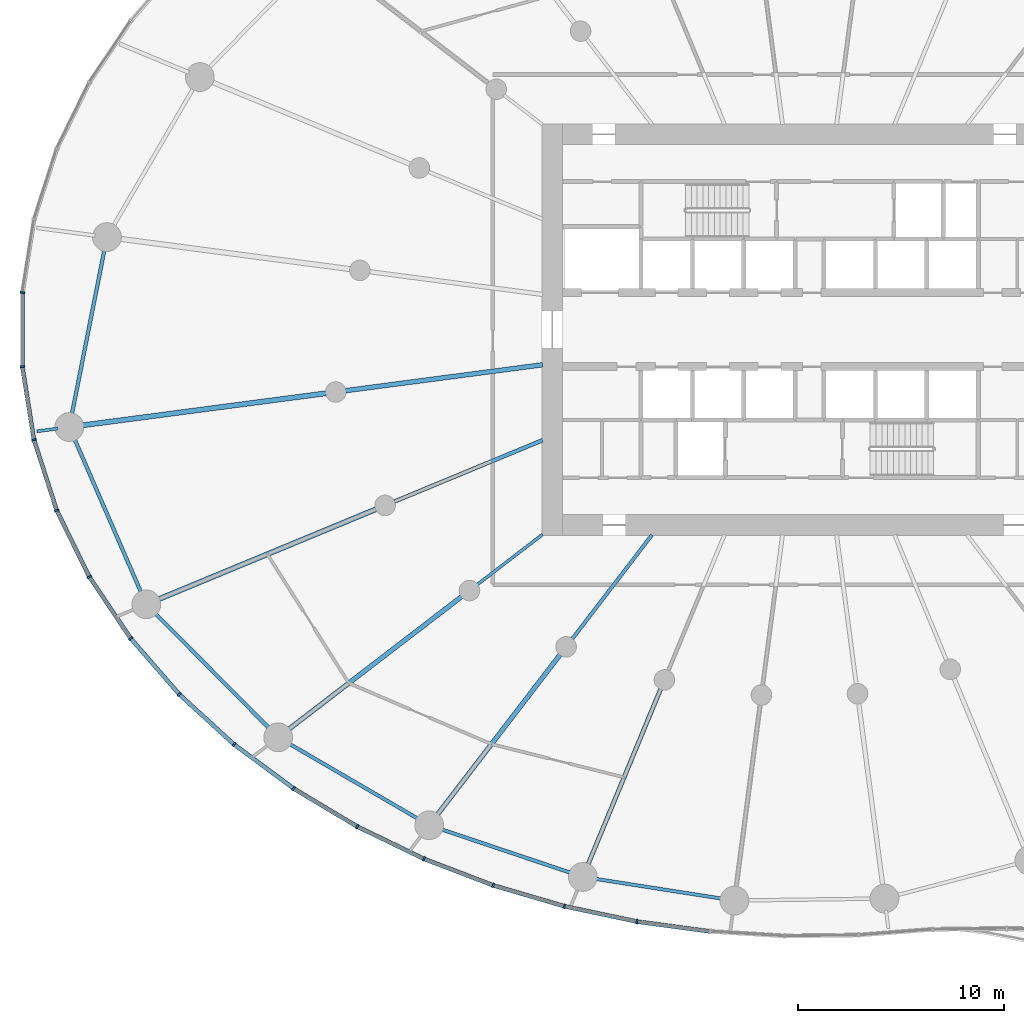
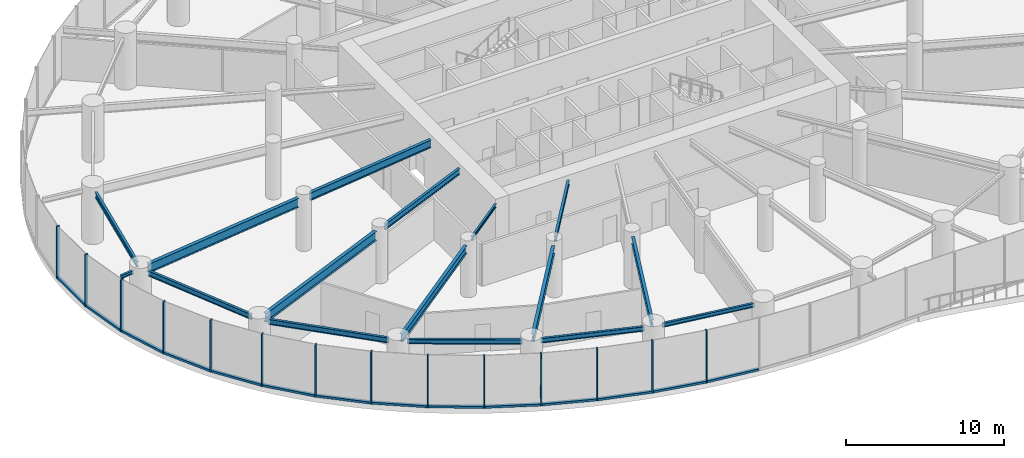
# One storey, part 2 of 19: 28 members, 16 beams, 3 elements without a shape of their own.
"""IFC4 building model written with IfcOpenShell, lengths in metres."""

from ifc_helpers import new_model, si_unit, direction, frame, origin, origin_2d, place, context, subcontext, project, spatial, rectangle, i_section, extrude, source, transform, mapped, material, layer, layer_set, material_profile, profile_set, type_object, element, aggregate, save


model = new_model("IFC4")

# Units and contexts
model_context = context("Model", 3, precision=1e-05, world=origin(), true_north=direction((0.0, 1.0)))
body_context = subcontext(model_context, "Body", "Model", "MODEL_VIEW")
ifc_project = project(units=[si_unit("LENGTHUNIT", "METRE"), si_unit("AREAUNIT", "SQUARE_METRE"), si_unit("VOLUMEUNIT", "CUBIC_METRE"), si_unit("PLANEANGLEUNIT", "RADIAN"), si_unit("MASSUNIT", "GRAM", prefix="KILO")], contexts=[model_context])

# Site, building, storey
site_placement = place(None, origin())
site = spatial("IfcSite", under=ifc_project, at=site_placement, CompositionType="ELEMENT")
building_placement = place(site_placement, origin())
building = spatial("IfcBuilding", under=site, at=building_placement, Name="Spindrift Exchange Tower", CompositionType="ELEMENT")
storey_placement = place(building_placement, frame((0.0, 0.0, 13.800048828125)))
storey = spatial("IfcBuildingStorey", under=building, at=storey_placement, Name="L03", CompositionType="ELEMENT", Elevation=13.800048828125)

# Beams
ifc_material_1 = material(Name="Steel Grade 300", Category="steel")
ifc_material_profile_1 = material_profile(ifc_material_1, i_section(OverallWidth=0.22802734375, OverallDepth=0.60693359375, WebThickness=0.01123046875, FlangeThickness=0.017333984375, FilletRadius=0.013916015625, at=origin_2d()), Name="610UB113")
ifc_profile_set_1 = profile_set([ifc_material_profile_1], Name="Steel Grade 300")
beam_type_1 = type_object("IfcBeamType", Name="Floor Beam 610UB113 Steel Grade 300", PredefinedType="BEAM", material=ifc_profile_set_1)
shared_shape_1 = source(origin(), body_context, "Body", "SweptSolid", [
    extrude(i_section(OverallWidth=0.22802734375, OverallDepth=0.60693359375, WebThickness=0.01123046875, FlangeThickness=0.017333984375, FilletRadius=0.013916015625, at=origin_2d()), origin(), (0.0, 0.0, 1.0), 9.660400390625),
])
beam_1_placement = place(storey_placement, frame((39.019775390625, 46.291015625, 3.746337890625), z_axis=(-0.99144767089, -0.130504850054, 0.0), x_axis=(0.130504850054, -0.99144767089, 0.0)))
element("IfcBeam", 1, at=beam_1_placement, inside=storey, type_object=beam_type_1, Name="L03 radial beam R13A", PredefinedType="BEAM", context=body_context, shape_type="MappedRepresentation", body=[
    mapped(shared_shape_1, transform((0.0, 0.0, 0.0), scale=1.0)),
])
ifc_material_profile_2 = material_profile(ifc_material_1, i_section(OverallWidth=0.25, OverallDepth=0.699951171875, WebThickness=0.008056640625, FlangeThickness=0.011962890625, at=origin_2d()), Name="700WB115")
ifc_profile_set_2 = profile_set([ifc_material_profile_2], Name="Steel Grade 300")
beam_type_2 = type_object("IfcBeamType", Name="Floor Beam 700WB115 Steel Grade 300", PredefinedType="BEAM", material=ifc_profile_set_2)
shared_shape_2 = source(origin(), body_context, "Body", "SweptSolid", [
    extrude(i_section(OverallWidth=0.25, OverallDepth=0.699951171875, WebThickness=0.008056640625, FlangeThickness=0.011962890625, at=origin_2d()), origin(), (0.0, 0.0, 1.0), 12.00830078125),
])
beam_2_placement = place(storey_placement, frame((28.490234375, 44.90478515625, 3.699951171875), z_axis=(-0.991444950947, -0.130525511844, 0.0), x_axis=(0.130525511844, -0.991444950947, 0.0)))
element("IfcBeam", 2, at=beam_2_placement, inside=storey, type_object=beam_type_2, Name="L03 radial beam R13B", PredefinedType="BEAM", context=body_context, shape_type="MappedRepresentation", body=[
    mapped(shared_shape_2, transform((0.0, 0.0, 0.0), scale=1.0)),
])
ifc_material_profile_3 = material_profile(ifc_material_1, i_section(OverallWidth=0.18994140625, OverallDepth=0.45703125, WebThickness=0.009033203125, FlangeThickness=0.014404296875, FilletRadius=0.013916015625, at=origin_2d()), Name="460UB74.6")
ifc_profile_set_3 = profile_set([ifc_material_profile_3], Name="Steel Grade 300")
beam_type_3 = type_object("IfcBeamType", Name="Floor Beam 460UB74.6 Steel Grade 300", PredefinedType="BEAM", material=ifc_profile_set_3)
shared_shape_3 = source(origin(), body_context, "Body", "SweptSolid", [
    extrude(i_section(OverallWidth=0.18994140625, OverallDepth=0.45703125, WebThickness=0.009033203125, FlangeThickness=0.014404296875, FilletRadius=0.013916015625, at=origin_2d()), origin(), (0.0, 0.0, 1.0), 7.808837890625),
])
beam_3_placement = place(storey_placement, frame((39.0185546875, 42.622802734375, 3.821533203125), z_axis=(-0.92387965154, -0.382683145003, 0.0), x_axis=(0.382683145003, -0.92387965154, 0.0)))
element("IfcBeam", 3, at=beam_3_placement, inside=storey, type_object=beam_type_3, Name="L03 radial beam R14A", PredefinedType="BEAM", context=body_context, shape_type="MappedRepresentation", body=[
    mapped(shared_shape_3, transform((0.0, 0.0, 0.0), scale=1.0)),
])
shared_shape_4 = source(origin(), body_context, "Body", "SweptSolid", [
    extrude(i_section(OverallWidth=0.25, OverallDepth=0.699951171875, WebThickness=0.008056640625, FlangeThickness=0.011962890625, at=origin_2d()), origin(), (0.0, 0.0, 1.0), 11.505859375),
])
beam_4_placement = place(storey_placement, frame((30.917236328125, 39.26708984375, 3.699951171875), z_axis=(-0.923881578419, -0.38267849307, 0.0), x_axis=(0.38267849307, -0.923881578419, 0.0)))
element("IfcBeam", 4, at=beam_4_placement, inside=storey, type_object=beam_type_2, Name="L03 radial beam R14B", PredefinedType="BEAM", context=body_context, shape_type="MappedRepresentation", body=[
    mapped(shared_shape_4, transform((0.0, 0.0, 0.0), scale=1.0)),
])
ifc_material_profile_4 = material_profile(ifc_material_1, i_section(OverallWidth=0.14599609375, OverallDepth=0.251953125, WebThickness=0.006103515625, FlangeThickness=0.008544921875, FilletRadius=0.011962890625, at=origin_2d()), Name="250UB31.4")
ifc_profile_set_4 = profile_set([ifc_material_profile_4], Name="Steel Grade 300")
beam_type_4 = type_object("IfcBeamType", Name="Floor Beam 250UB31.4 Steel Grade 300", PredefinedType="BEAM", material=ifc_profile_set_4)
shared_shape_5 = source(origin(), body_context, "Body", "SweptSolid", [
    extrude(i_section(OverallWidth=0.14599609375, OverallDepth=0.251953125, WebThickness=0.006103515625, FlangeThickness=0.008544921875, FilletRadius=0.011962890625, at=origin_2d()), origin(), (0.0, 0.0, 1.0), 3.99560546875),
])
beam_5_placement = place(storey_placement, frame((39.015869140625, 38.036865234375, 3.924072265625), z_axis=(-0.793352561574, -0.608762443851, 0.0), x_axis=(0.608762443851, -0.793352561574, 0.0)))
element("IfcBeam", 5, at=beam_5_placement, inside=storey, type_object=beam_type_4, Name="L03 radial beam R15A", PredefinedType="BEAM", context=body_context, shape_type="MappedRepresentation", body=[
    mapped(shared_shape_5, transform((0.0, 0.0, 0.0), scale=1.0)),
])
shared_shape_6 = source(origin(), body_context, "Body", "SweptSolid", [
    extrude(i_section(OverallWidth=0.22802734375, OverallDepth=0.60693359375, WebThickness=0.01123046875, FlangeThickness=0.017333984375, FilletRadius=0.013916015625, at=origin_2d()), origin(), (0.0, 0.0, 1.0), 10.66357421875),
])
beam_6_placement = place(storey_placement, frame((35.08447265625, 35.020263671875, 3.746337890625), z_axis=(-0.793357926757, -0.608755451764, 0.0), x_axis=(0.608755451764, -0.793357926757, 0.0)))
element("IfcBeam", 6, at=beam_6_placement, inside=storey, type_object=beam_type_1, Name="L03 radial beam R15B", PredefinedType="BEAM", context=body_context, shape_type="MappedRepresentation", body=[
    mapped(shared_shape_6, transform((0.0, 0.0, 0.0), scale=1.0)),
])
ifc_material_profile_5 = material_profile(ifc_material_1, i_section(OverallWidth=0.172119140625, OverallDepth=0.35888671875, WebThickness=0.008056640625, FlangeThickness=0.012939453125, FilletRadius=0.013916015625, at=origin_2d()), Name="360UB56.7")
ifc_profile_set_5 = profile_set([ifc_material_profile_5], Name="Steel Grade 300")
beam_type_5 = type_object("IfcBeamType", Name="Floor Beam 360UB56.7 Steel Grade 300", PredefinedType="BEAM", material=ifc_profile_set_5)
shared_shape_7 = source(origin(), body_context, "Body", "SweptSolid", [
    extrude(i_section(OverallWidth=0.172119140625, OverallDepth=0.35888671875, WebThickness=0.008056640625, FlangeThickness=0.012939453125, FilletRadius=0.013916015625, at=origin_2d()), origin(), (0.0, 0.0, 1.0), 6.37646484375),
])
beam_7_placement = place(storey_placement, frame((44.3388671875, 38.015869140625, 3.870361328125), z_axis=(-0.608766669952, -0.793349318747, 0.0), x_axis=(0.793349318747, -0.608766669952, 0.0)))
element("IfcBeam", 7, at=beam_7_placement, inside=storey, type_object=beam_type_5, Name="L03 radial beam R16A", PredefinedType="BEAM", context=body_context, shape_type="MappedRepresentation", body=[
    mapped(shared_shape_7, transform((0.0, 0.0, 0.0), scale=1.0)),
])
shared_shape_8 = source(origin(), body_context, "Body", "SweptSolid", [
    extrude(i_section(OverallWidth=0.22802734375, OverallDepth=0.60693359375, WebThickness=0.01123046875, FlangeThickness=0.017333984375, FilletRadius=0.013916015625, at=origin_2d()), origin(), (0.0, 0.0, 1.0), 9.87548828125),
])
beam_8_placement = place(storey_placement, frame((39.872802734375, 32.1953125, 3.746337890625), z_axis=(-0.608772470836, -0.793344867477, 0.0), x_axis=(0.793344867477, -0.608772470836, 0.0)))
element("IfcBeam", 8, at=beam_8_placement, inside=storey, type_object=beam_type_1, Name="L03 radial beam R16B", PredefinedType="BEAM", context=body_context, shape_type="MappedRepresentation", body=[
    mapped(shared_shape_8, transform((0.0, 0.0, 0.0), scale=1.0)),
])
ifc_material_profile_6 = material_profile(ifc_material_1, i_section(OverallWidth=0.208984375, OverallDepth=0.532958984375, WebThickness=0.01025390625, FlangeThickness=0.015625, FilletRadius=0.013916015625, at=origin_2d()), Name="530UB92.4")
ifc_profile_set_6 = profile_set([ifc_material_profile_6], Name="Steel Grade 300")
beam_type_6 = type_object("IfcBeamType", Name="Floor Beam 530UB92.4 Steel Grade 300", PredefinedType="BEAM", material=ifc_profile_set_6)
shared_shape_9 = source(origin(), body_context, "Body", "SweptSolid", [
    extrude(i_section(OverallWidth=0.208984375, OverallDepth=0.532958984375, WebThickness=0.01025390625, FlangeThickness=0.015625, FilletRadius=0.013916015625, at=origin_2d()), origin(), (0.0, 0.0, 1.0), 9.309326171875),
])
beam_9_placement = place(storey_placement, frame((44.76171875, 30.525146484375, 3.783447265625), z_axis=(-0.382685326691, -0.923878747853, 0.0), x_axis=(0.923878747853, -0.382685326691, 0.0)))
element("IfcBeam", 9, at=beam_9_placement, inside=storey, type_object=beam_type_6, Name="L03 radial beam R17B", PredefinedType="BEAM", context=body_context, shape_type="MappedRepresentation", body=[
    mapped(shared_shape_9, transform((0.0, 0.0, 0.0), scale=1.0)),
])
ifc_material_profile_7 = material_profile(ifc_material_1, i_section(OverallWidth=0.177978515625, OverallDepth=0.406005859375, WebThickness=0.0078125, FlangeThickness=0.0126953125, FilletRadius=0.013916015625, at=origin_2d()), Name="410UB59.7")
ifc_profile_set_7 = profile_set([ifc_material_profile_7], Name="Steel Grade 300")
beam_type_7 = type_object("IfcBeamType", Name="Edge Beam 410UB59.7 Steel Grade 300", PredefinedType="SPANDREL", material=ifc_profile_set_7)
shared_shape_10 = source(origin(), body_context, "Body", "SweptSolid", [
    extrude(i_section(OverallWidth=0.177978515625, OverallDepth=0.406005859375, WebThickness=0.0078125, FlangeThickness=0.0126953125, FilletRadius=0.013916015625, at=origin_2d()), origin(), (0.0, 0.0, 1.0), 8.23681640625),
])
beam_10_placement = place(storey_placement, frame((16.240478515625, 42.729736328125, 3.846923828125), z_axis=(0.398186298756, -0.91730456855, 0.0), x_axis=(0.91730456855, 0.398186298756, 0.0)))
element("IfcBeam", 10, at=beam_10_placement, inside=storey, type_object=beam_type_7, Name="L03 edge beam E13", PredefinedType="SPANDREL", context=body_context, shape_type="MappedRepresentation", body=[
    mapped(shared_shape_10, transform((0.0, 0.0, 0.0), scale=1.0)),
])
shared_shape_11 = source(origin(), body_context, "Body", "SweptSolid", [
    extrude(i_section(OverallWidth=0.177978515625, OverallDepth=0.406005859375, WebThickness=0.0078125, FlangeThickness=0.0126953125, FilletRadius=0.013916015625, at=origin_2d()), origin(), (0.0, 0.0, 1.0), 7.947509765625),
])
beam_11_placement = place(storey_placement, frame((20.159423828125, 34.230224609375, 3.846923828125), z_axis=(0.704197895271, -0.710003749494, 0.0), x_axis=(0.710003749494, 0.704197895271, 0.0)))
element("IfcBeam", 11, at=beam_11_placement, inside=storey, type_object=beam_type_7, Name="L03 edge beam E14", PredefinedType="SPANDREL", context=body_context, shape_type="MappedRepresentation", body=[
    mapped(shared_shape_11, transform((0.0, 0.0, 0.0), scale=1.0)),
])
ifc_material_profile_8 = material_profile(ifc_material_1, i_section(OverallWidth=0.172119140625, OverallDepth=0.35888671875, WebThickness=0.008056640625, FlangeThickness=0.012939453125, FilletRadius=0.013916015625, at=origin_2d()), Name="360UB56.7")
ifc_profile_set_8 = profile_set([ifc_material_profile_8], Name="Steel Grade 300")
beam_type_8 = type_object("IfcBeamType", Name="Edge Beam 360UB56.7 Steel Grade 300", PredefinedType="SPANDREL", material=ifc_profile_set_8)
shared_shape_12 = source(origin(), body_context, "Body", "SweptSolid", [
    extrude(i_section(OverallWidth=0.172119140625, OverallDepth=0.35888671875, WebThickness=0.008056640625, FlangeThickness=0.012939453125, FilletRadius=0.013916015625, at=origin_2d()), origin(), (0.0, 0.0, 1.0), 7.33740234375),
])
beam_12_placement = place(storey_placement, frame((26.66552734375, 27.8837890625, 3.870361328125), z_axis=(0.864211826308, -0.503128134047, 0.0), x_axis=(0.503128134047, 0.864211826308, 0.0)))
element("IfcBeam", 12, at=beam_12_placement, inside=storey, type_object=beam_type_8, Name="L03 edge beam E15", PredefinedType="SPANDREL", context=body_context, shape_type="MappedRepresentation", body=[
    mapped(shared_shape_12, transform((0.0, 0.0, 0.0), scale=1.0)),
])
shared_shape_13 = source(origin(), body_context, "Body", "SweptSolid", [
    extrude(i_section(OverallWidth=0.172119140625, OverallDepth=0.35888671875, WebThickness=0.008056640625, FlangeThickness=0.012939453125, FilletRadius=0.013916015625, at=origin_2d()), origin(), (0.0, 0.0, 1.0), 6.72021484375),
])
beam_13_placement = place(storey_placement, frame((34.0576171875, 23.71533203125, 3.870361328125), z_axis=(0.947851749681, -0.318711563372, 0.0), x_axis=(0.318711563372, 0.947851749681, 0.0)))
element("IfcBeam", 13, at=beam_13_placement, inside=storey, type_object=beam_type_8, Name="L03 edge beam E16", PredefinedType="SPANDREL", context=body_context, shape_type="MappedRepresentation", body=[
    mapped(shared_shape_13, transform((0.0, 0.0, 0.0), scale=1.0)),
])
ifc_material_profile_9 = material_profile(ifc_material_1, i_section(OverallWidth=0.1650390625, OverallDepth=0.303955078125, WebThickness=0.006103515625, FlangeThickness=0.01025390625, FilletRadius=0.011474609375, at=origin_2d()), Name="310UB40.4")
ifc_profile_set_9 = profile_set([ifc_material_profile_9], Name="Steel Grade 300")
beam_type_9 = type_object("IfcBeamType", Name="Edge Beam 310UB40.4 Steel Grade 300", PredefinedType="SPANDREL", material=ifc_profile_set_9)
shared_shape_14 = source(origin(), body_context, "Body", "SweptSolid", [
    extrude(i_section(OverallWidth=0.1650390625, OverallDepth=0.303955078125, WebThickness=0.006103515625, FlangeThickness=0.01025390625, FilletRadius=0.011474609375, at=origin_2d()), origin(), (0.0, 0.0, 1.0), 6.297119140625),
])
beam_14_placement = place(storey_placement, frame((41.55029296875, 21.29931640625, 3.89794921875), z_axis=(0.98802902915, -0.154268070436, 0.0), x_axis=(0.154268070436, 0.98802902915, 0.0)))
element("IfcBeam", 14, at=beam_14_placement, inside=storey, type_object=beam_type_9, Name="L03 edge beam E17", PredefinedType="SPANDREL", context=body_context, shape_type="MappedRepresentation", body=[
    mapped(shared_shape_14, transform((0.0, 0.0, 0.0), scale=1.0)),
])
shared_shape_15 = source(origin(), body_context, "Body", "SweptSolid", [
    extrude(i_section(OverallWidth=0.177978515625, OverallDepth=0.406005859375, WebThickness=0.0078125, FlangeThickness=0.0126953125, FilletRadius=0.013916015625, at=origin_2d()), origin(), (0.0, 0.0, 1.0), 8.2548828125),
])
beam_15_placement = place(storey_placement, frame((17.72607421875, 51.928466796875, 3.846923828125), z_axis=(-0.194278723288, -0.9809463684, 0.0), x_axis=(0.9809463684, -0.194278723288, 0.0)))
element("IfcBeam", 15, at=beam_15_placement, inside=storey, type_object=beam_type_7, Name="L03 edge beam E12", PredefinedType="SPANDREL", context=body_context, shape_type="MappedRepresentation", body=[
    mapped(shared_shape_15, transform((0.0, 0.0, 0.0), scale=1.0)),
])
ifc_material_profile_10 = material_profile(ifc_material_1, i_section(OverallWidth=0.14599609375, OverallDepth=0.251953125, WebThickness=0.006103515625, FlangeThickness=0.008544921875, FilletRadius=0.011962890625, at=origin_2d()), Name="250UB31.4")
ifc_profile_set_10 = profile_set([ifc_material_profile_10], Name="Steel Grade 300")
beam_type_10 = type_object("IfcBeamType", Name="Cantilever Beam 250UB31.4 Steel Grade 300", PredefinedType="BEAM", material=ifc_profile_set_10)
shared_shape_16 = source(origin(), body_context, "Body", "SweptSolid", [
    extrude(i_section(OverallWidth=0.14599609375, OverallDepth=0.251953125, WebThickness=0.006103515625, FlangeThickness=0.008544921875, FilletRadius=0.011962890625, at=origin_2d()), origin(), (0.0, 0.0, 1.0), 1.013916015625),
])
beam_16_placement = place(storey_placement, frame((15.4345703125, 43.18603515625, 3.924072265625), z_axis=(-0.991445276866, -0.130523036206, 0.0), x_axis=(0.130523036206, -0.991445276866, 0.0)))
element("IfcBeam", 16, at=beam_16_placement, inside=storey, type_object=beam_type_10, Name="L03 cantilever beam R13T", PredefinedType="BEAM", context=body_context, shape_type="MappedRepresentation", body=[
    mapped(shared_shape_16, transform((0.0, 0.0, 0.0), scale=1.0)),
])

# Curtain wall, members
ifc_material_2 = material(Name="Fritted laminated glass with bronze frame", Category="glass")
ifc_layer = layer(ifc_material_2, 0.219970703125)
ifc_layer_set = layer_set([ifc_layer], Name="PODIUM BRONZE GLAZED WALL")
curtain_wall_type = type_object("IfcCurtainWallType", Name="PODIUM BRONZE GLAZED WALL", PredefinedType="NOTDEFINED", material=ifc_layer_set)
curtain_wall_1_placement = place(storey_placement, origin())
curtain_wall_1 = element("IfcCurtainWall", 17, at=curtain_wall_1_placement, inside=storey, type_object=curtain_wall_type, Name="L03 Podium Bronze Glazed Wall run 6", PredefinedType="NOTDEFINED")
ifc_material_3 = material(Name="Bronze anodised aluminium", Category="aluminium")
ifc_material_profile_11 = material_profile(ifc_material_3, rectangle(XDim=0.199951171875, YDim=0.159912109375, at=origin_2d()), Name="PODIUM BRONZE GLAZED WALL TRANSOM 200X160")
ifc_profile_set_11 = profile_set([ifc_material_profile_11], Name="Bronze anodised aluminium")
member_type_1 = type_object("IfcMemberType", Name="PODIUM BRONZE GLAZED WALL TRANSOM 200X160", PredefinedType="USERDEFINED", material=ifc_profile_set_11)
shared_shape_17 = source(origin(), body_context, "Body", "SweptSolid", [
    extrude(rectangle(XDim=0.199951171875, YDim=0.159912109375, at=origin_2d()), origin(), (0.0, 0.0, 1.0), 3.5126953125),
])
member_1_placement = place(storey_placement, frame((13.7236328125, 49.75634765625, 0.079833984375), z_axis=(0.0, -1.0, 0.0), x_axis=(1.0, 0.0, 0.0)))
member_1 = element("IfcMember", 18, at=member_1_placement, type_object=member_type_1, Name="L03 transom CW-P.32", ObjectType="TRANSOM", PredefinedType="USERDEFINED", context=body_context, shape_type="MappedRepresentation", body=[
    mapped(shared_shape_17, transform((0.0, 0.0, 0.0), scale=1.0)),
])
member_2_placement = place(storey_placement, frame((13.730712890625, 46.154296875, 0.079833984375), z_axis=(0.156933258067, -0.987609210423, 0.0), x_axis=(0.987609210423, 0.156933258067, 0.0)))
member_2 = element("IfcMember", 19, at=member_2_placement, type_object=member_type_1, Name="L03 transom CW-P.33", ObjectType="TRANSOM", PredefinedType="USERDEFINED", context=body_context, shape_type="MappedRepresentation", body=[
    mapped(shared_shape_17, transform((0.0, 0.0, 0.0), scale=1.0)),
])
shared_shape_18 = source(origin(), body_context, "Body", "SweptSolid", [
    extrude(rectangle(XDim=0.199951171875, YDim=0.159912109375, at=origin_2d()), origin(), (0.0, 0.0, 1.0), 3.512939453125),
])
member_3_placement = place(storey_placement, frame((14.302734375, 42.59765625, 0.079833984375), z_axis=(0.306683973854, -0.95181139948, 0.0), x_axis=(0.95181139948, 0.306683973854, 0.0)))
member_3 = element("IfcMember", 20, at=member_3_placement, type_object=member_type_1, Name="L03 transom CW-P.34", ObjectType="TRANSOM", PredefinedType="USERDEFINED", context=body_context, shape_type="MappedRepresentation", body=[
    mapped(shared_shape_18, transform((0.0, 0.0, 0.0), scale=1.0)),
])
ifc_material_profile_12 = material_profile(ifc_material_3, rectangle(XDim=0.090087890625, YDim=0.219970703125, at=origin_2d()), Name="PODIUM BRONZE GLAZED WALL MULLION 90X220")
ifc_profile_set_12 = profile_set([ifc_material_profile_12], Name="Bronze anodised aluminium")
member_type_2 = type_object("IfcMemberType", Name="PODIUM BRONZE GLAZED WALL MULLION 90X220", PredefinedType="MULLION", material=ifc_profile_set_12)
shared_shape_19 = source(origin(), body_context, "Body", "SweptSolid", [
    extrude(rectangle(XDim=0.090087890625, YDim=0.219970703125, at=origin_2d()), origin(), (0.0, 0.0, 1.0), 4.050048828125),
])
member_4_placement = place(storey_placement, frame((13.7236328125, 49.80126953125, 0.0), z_axis=(0.0, 0.0, 1.0), x_axis=(-0.07869855288, -0.996898459109, 0.0)))
member_4 = element("IfcMember", 21, at=member_4_placement, type_object=member_type_2, Name="L03 mullion CW-P.32", PredefinedType="MULLION", context=body_context, shape_type="MappedRepresentation", body=[
    mapped(shared_shape_19, transform((0.0, 0.0, 0.0), scale=1.0)),
])
member_5_placement = place(storey_placement, frame((13.7236328125, 46.19873046875, 0.0), z_axis=(0.0, 0.0, 1.0), x_axis=(0.07869855288, -0.996898459109, 0.0)))
member_5 = element("IfcMember", 22, at=member_5_placement, type_object=member_type_2, Name="L03 mullion CW-P.33", PredefinedType="MULLION", context=body_context, shape_type="MappedRepresentation", body=[
    mapped(shared_shape_19, transform((0.0, 0.0, 0.0), scale=1.0)),
])
member_6_placement = place(storey_placement, frame((14.2890625, 42.640625, 0.0), z_axis=(0.0, 0.0, 1.0), x_axis=(0.232483788689, -0.972600271436, 0.0)))
member_6 = element("IfcMember", 23, at=member_6_placement, type_object=member_type_2, Name="L03 mullion CW-P.34", PredefinedType="MULLION", context=body_context, shape_type="MappedRepresentation", body=[
    mapped(shared_shape_19, transform((0.0, 0.0, 0.0), scale=1.0)),
])
member_7_placement = place(storey_placement, frame((15.39404296875, 39.211181640625, 0.0), z_axis=(0.0, 0.0, 1.0), x_axis=(0.374483466546, -0.927233591542, 0.0)))
member_7 = element("IfcMember", 24, at=member_7_placement, type_object=member_type_2, Name="L03 mullion CW-P.35", PredefinedType="MULLION", context=body_context, shape_type="MappedRepresentation", body=[
    mapped(shared_shape_19, transform((0.0, 0.0, 0.0), scale=1.0)),
])
member_8_placement = place(storey_placement, frame((16.980712890625, 35.9755859375, 0.0), z_axis=(0.0, 0.0, 1.0), x_axis=(0.500299836038, -0.865852224147, 0.0)))
member_8 = element("IfcMember", 25, at=member_8_placement, type_object=member_type_2, Name="L03 mullion CW-P.36", PredefinedType="MULLION", context=body_context, shape_type="MappedRepresentation", body=[
    mapped(shared_shape_19, transform((0.0, 0.0, 0.0), scale=1.0)),
])

curtain_wall_2_placement = place(storey_placement, origin())
curtain_wall_2 = element("IfcCurtainWall", 26, at=curtain_wall_2_placement, inside=storey, type_object=curtain_wall_type, Name="L03 Podium Bronze Glazed Wall run 7", PredefinedType="NOTDEFINED")
member_9_placement = place(storey_placement, frame((18.99169921875, 32.98486328125, 0.0), z_axis=(0.0, 0.0, 1.0), x_axis=(0.608070272939, -0.793883204992, 0.0)))
member_9 = element("IfcMember", 27, at=member_9_placement, type_object=member_type_2, Name="L03 mullion CW-P.37", PredefinedType="MULLION", context=body_context, shape_type="MappedRepresentation", body=[
    mapped(shared_shape_19, transform((0.0, 0.0, 0.0), scale=1.0)),
])
member_10_placement = place(storey_placement, frame((21.355712890625, 30.26416015625, 0.0), z_axis=(0.0, 0.0, 1.0), x_axis=(0.697980272819, -0.71611698678, 0.0)))
member_10 = element("IfcMember", 28, at=member_10_placement, type_object=member_type_2, Name="L03 mullion CW-P.38", PredefinedType="MULLION", context=body_context, shape_type="MappedRepresentation", body=[
    mapped(shared_shape_19, transform((0.0, 0.0, 0.0), scale=1.0)),
])
member_11_placement = place(storey_placement, frame((24.01513671875, 27.830810546875, 0.0), z_axis=(0.0, 0.0, 1.0), x_axis=(0.772036393712, -0.635578324666, 0.0)))
member_11 = element("IfcMember", 29, at=member_11_placement, type_object=member_type_2, Name="L03 mullion CW-P.39", PredefinedType="MULLION", context=body_context, shape_type="MappedRepresentation", body=[
    mapped(shared_shape_19, transform((0.0, 0.0, 0.0), scale=1.0)),
])
member_12_placement = place(storey_placement, frame((26.914306640625, 25.68798828125, 0.0), z_axis=(0.0, 0.0, 1.0), x_axis=(0.831908061983, -0.554913485516, 0.0)))
member_12 = element("IfcMember", 30, at=member_12_placement, type_object=member_type_2, Name="L03 mullion CW-P.40", PredefinedType="MULLION", context=body_context, shape_type="MappedRepresentation", body=[
    mapped(shared_shape_19, transform((0.0, 0.0, 0.0), scale=1.0)),
])
member_13_placement = place(storey_placement, frame((30.006591796875, 23.83447265625, 0.0), z_axis=(0.0, 0.0, 1.0), x_axis=(0.879912973323, -0.475134885457, 0.0)))
member_13 = element("IfcMember", 31, at=member_13_placement, type_object=member_type_2, Name="L03 mullion CW-P.41", PredefinedType="MULLION", context=body_context, shape_type="MappedRepresentation", body=[
    mapped(shared_shape_19, transform((0.0, 0.0, 0.0), scale=1.0)),
])
member_14_placement = place(storey_placement, frame((33.252685546875, 22.265380859375, 0.0), z_axis=(0.0, 0.0, 1.0), x_axis=(0.917989961292, -0.396603619458, 0.0)))
member_14 = element("IfcMember", 32, at=member_14_placement, type_object=member_type_2, Name="L03 mullion CW-P.42", PredefinedType="MULLION", context=body_context, shape_type="MappedRepresentation", body=[
    mapped(shared_shape_19, transform((0.0, 0.0, 0.0), scale=1.0)),
])

curtain_wall_3_placement = place(storey_placement, origin())
curtain_wall_3 = element("IfcCurtainWall", 33, at=curtain_wall_3_placement, inside=storey, type_object=curtain_wall_type, Name="L03 Podium Bronze Glazed Wall run 8", PredefinedType="NOTDEFINED")
member_15_placement = place(storey_placement, frame((36.6201171875, 20.97705078125, 0.0), z_axis=(0.0, 0.0, 1.0), x_axis=(0.947494000715, -0.319773542697, 0.0)))
member_15 = element("IfcMember", 34, at=member_15_placement, type_object=member_type_2, Name="L03 mullion CW-P.43", PredefinedType="MULLION", context=body_context, shape_type="MappedRepresentation", body=[
    mapped(shared_shape_19, transform((0.0, 0.0, 0.0), scale=1.0)),
])
member_16_placement = place(storey_placement, frame((40.07958984375, 19.961181640625, 0.0), z_axis=(0.0, 0.0, 1.0), x_axis=(0.969661415533, -0.244451915982, 0.0)))
member_16 = element("IfcMember", 35, at=member_16_placement, type_object=member_type_2, Name="L03 mullion CW-P.44", PredefinedType="MULLION", context=body_context, shape_type="MappedRepresentation", body=[
    mapped(shared_shape_19, transform((0.0, 0.0, 0.0), scale=1.0)),
])
member_17_placement = place(storey_placement, frame((43.607421875, 19.215576171875, 0.0), z_axis=(0.0, 0.0, 1.0), x_axis=(0.985402939563, -0.170238205762, 0.0)))
member_17 = element("IfcMember", 36, at=member_17_placement, type_object=member_type_2, Name="L03 mullion CW-P.45", PredefinedType="MULLION", context=body_context, shape_type="MappedRepresentation", body=[
    mapped(shared_shape_19, transform((0.0, 0.0, 0.0), scale=1.0)),
])

# Member
shared_shape_20 = source(origin(), body_context, "Body", "SweptSolid", [
    extrude(rectangle(XDim=0.199951171875, YDim=0.159912109375, at=origin_2d()), origin(), (0.0, 0.0, 1.0), 3.51416015625),
])
member_18_placement = place(storey_placement, frame((17.005859375, 35.9384765625, 0.079833984375), z_axis=(0.557950570799, -0.829874183563, 0.0), x_axis=(0.829874183563, 0.557950570799, 0.0)))
member_18 = element("IfcMember", 37, at=member_18_placement, type_object=member_type_1, Name="L03 transom CW-P.36", ObjectType="TRANSOM", PredefinedType="USERDEFINED", context=body_context, shape_type="MappedRepresentation", body=[
    mapped(shared_shape_20, transform((0.0, 0.0, 0.0), scale=1.0)),
])

shared_shape_21 = source(origin(), body_context, "Body", "SweptSolid", [
    extrude(rectangle(XDim=0.199951171875, YDim=0.159912109375, at=origin_2d()), origin(), (0.0, 0.0, 1.0), 3.5146484375),
])
member_19_placement = place(storey_placement, frame((21.388916015625, 30.233642578125, 0.079833984375), z_axis=(0.737773760568, -0.675048056228, 0.0), x_axis=(0.675048056228, 0.737773760568, 0.0)))
member_19 = element("IfcMember", 38, at=member_19_placement, type_object=member_type_1, Name="L03 transom CW-P.38", ObjectType="TRANSOM", PredefinedType="USERDEFINED", context=body_context, shape_type="MappedRepresentation", body=[
    mapped(shared_shape_21, transform((0.0, 0.0, 0.0), scale=1.0)),
])

shared_shape_22 = source(origin(), body_context, "Body", "SweptSolid", [
    extrude(rectangle(XDim=0.199951171875, YDim=0.159912109375, at=origin_2d()), origin(), (0.0, 0.0, 1.0), 3.514892578125),
])
member_20_placement = place(storey_placement, frame((24.05126953125, 27.803955078125, 0.079833984375), z_axis=(0.80419779384, -0.59436176558, 0.0), x_axis=(0.59436176558, 0.80419779384, 0.0)))
member_20 = element("IfcMember", 39, at=member_20_placement, type_object=member_type_1, Name="L03 transom CW-P.39", ObjectType="TRANSOM", PredefinedType="USERDEFINED", context=body_context, shape_type="MappedRepresentation", body=[
    mapped(shared_shape_22, transform((0.0, 0.0, 0.0), scale=1.0)),
])

shared_shape_23 = source(origin(), body_context, "Body", "SweptSolid", [
    extrude(rectangle(XDim=0.199951171875, YDim=0.159912109375, at=origin_2d()), origin(), (0.0, 0.0, 1.0), 3.515380859375),
])
member_21_placement = place(storey_placement, frame((26.952880859375, 25.664794921875, 0.079833984375), z_axis=(0.857707329103, -0.514138247559, 0.0), x_axis=(0.514138247559, 0.857707329103, 0.0)))
member_21 = element("IfcMember", 40, at=member_21_placement, type_object=member_type_1, Name="L03 transom CW-P.40", ObjectType="TRANSOM", PredefinedType="USERDEFINED", context=body_context, shape_type="MappedRepresentation", body=[
    mapped(shared_shape_23, transform((0.0, 0.0, 0.0), scale=1.0)),
])

member_22_placement = place(storey_placement, frame((30.047119140625, 23.814697265625, 0.079833984375), z_axis=(0.900347138789, -0.435172413734, 0.0), x_axis=(0.435172413734, 0.900347138789, 0.0)))
member_22 = element("IfcMember", 41, at=member_22_placement, type_object=member_type_1, Name="L03 transom CW-P.41", ObjectType="TRANSOM", PredefinedType="USERDEFINED", context=body_context, shape_type="MappedRepresentation", body=[
    mapped(shared_shape_23, transform((0.0, 0.0, 0.0), scale=1.0)),
])

shared_shape_24 = source(origin(), body_context, "Body", "SweptSolid", [
    extrude(rectangle(XDim=0.199951171875, YDim=0.159912109375, at=origin_2d()), origin(), (0.0, 0.0, 1.0), 3.513427734375),
])
member_23_placement = place(storey_placement, frame((15.413818359375, 39.170654296875, 0.079833984375), z_axis=(0.440335167598, -0.897833470181, 0.0), x_axis=(0.897833470181, 0.440335167598, 0.0)))
member_23 = element("IfcMember", 42, at=member_23_placement, type_object=member_type_1, Name="L03 transom CW-P.35", ObjectType="TRANSOM", PredefinedType="USERDEFINED", context=body_context, shape_type="MappedRepresentation", body=[
    mapped(shared_shape_24, transform((0.0, 0.0, 0.0), scale=1.0)),
])

aggregate(curtain_wall_1, [member_4, member_1, member_5, member_2, member_6, member_3, member_7, member_23, member_8, member_18])

shared_shape_25 = source(origin(), body_context, "Body", "SweptSolid", [
    extrude(rectangle(XDim=0.199951171875, YDim=0.159912109375, at=origin_2d()), origin(), (0.0, 0.0, 1.0), 3.515625),
])
member_24_placement = place(storey_placement, frame((33.294677734375, 22.249267578125, 0.079833984375), z_axis=(0.933988453325, -0.35730318926, 0.0), x_axis=(0.35730318926, 0.933988453325, 0.0)))
member_24 = element("IfcMember", 43, at=member_24_placement, type_object=member_type_1, Name="L03 transom CW-P.42", ObjectType="TRANSOM", PredefinedType="USERDEFINED", context=body_context, shape_type="MappedRepresentation", body=[
    mapped(shared_shape_25, transform((0.0, 0.0, 0.0), scale=1.0)),
])

member_25_placement = place(storey_placement, frame((36.663330078125, 20.96435546875, 0.079833984375), z_axis=(0.959493672918, -0.281730175221, 0.0), x_axis=(0.281730175221, 0.959493672918, 0.0)))
member_25 = element("IfcMember", 44, at=member_25_placement, type_object=member_type_1, Name="L03 transom CW-P.43", ObjectType="TRANSOM", PredefinedType="USERDEFINED", context=body_context, shape_type="MappedRepresentation", body=[
    mapped(shared_shape_25, transform((0.0, 0.0, 0.0), scale=1.0)),
])

member_26_placement = place(storey_placement, frame((40.123779296875, 19.951904296875, 0.079833984375), z_axis=(0.978382949399, -0.20680136442, 0.0), x_axis=(0.20680136442, 0.978382949399, 0.0)))
member_26 = element("IfcMember", 45, at=member_26_placement, type_object=member_type_1, Name="L03 transom CW-P.44", ObjectType="TRANSOM", PredefinedType="USERDEFINED", context=body_context, shape_type="MappedRepresentation", body=[
    mapped(shared_shape_25, transform((0.0, 0.0, 0.0), scale=1.0)),
])

member_27_placement = place(storey_placement, frame((43.652099609375, 19.209716796875, 0.079833984375), z_axis=(0.991052360588, -0.133473662466, 0.0), x_axis=(0.133473662466, 0.991052360588, 0.0)))
member_27 = element("IfcMember", 46, at=member_27_placement, type_object=member_type_1, Name="L03 transom CW-P.45", ObjectType="TRANSOM", PredefinedType="USERDEFINED", context=body_context, shape_type="MappedRepresentation", body=[
    mapped(shared_shape_25, transform((0.0, 0.0, 0.0), scale=1.0)),
])

aggregate(curtain_wall_3, [member_15, member_25, member_16, member_26, member_17, member_27])

shared_shape_26 = source(origin(), body_context, "Body", "SweptSolid", [
    extrude(rectangle(XDim=0.199951171875, YDim=0.159912109375, at=origin_2d()), origin(), (0.0, 0.0, 1.0), 3.514404296875),
])
member_28_placement = place(storey_placement, frame((19.02099609375, 32.950927734375, 0.079833984375), z_axis=(0.655913814963, -0.754835788328, 0.0), x_axis=(0.754835788328, 0.655913814963, 0.0)))
member_28 = element("IfcMember", 47, at=member_28_placement, type_object=member_type_1, Name="L03 transom CW-P.37", ObjectType="TRANSOM", PredefinedType="USERDEFINED", context=body_context, shape_type="MappedRepresentation", body=[
    mapped(shared_shape_26, transform((0.0, 0.0, 0.0), scale=1.0)),
])

aggregate(curtain_wall_2, [member_9, member_28, member_10, member_19, member_11, member_20, member_12, member_21, member_13, member_22, member_14, member_24])

save(model, "model.ifc")
